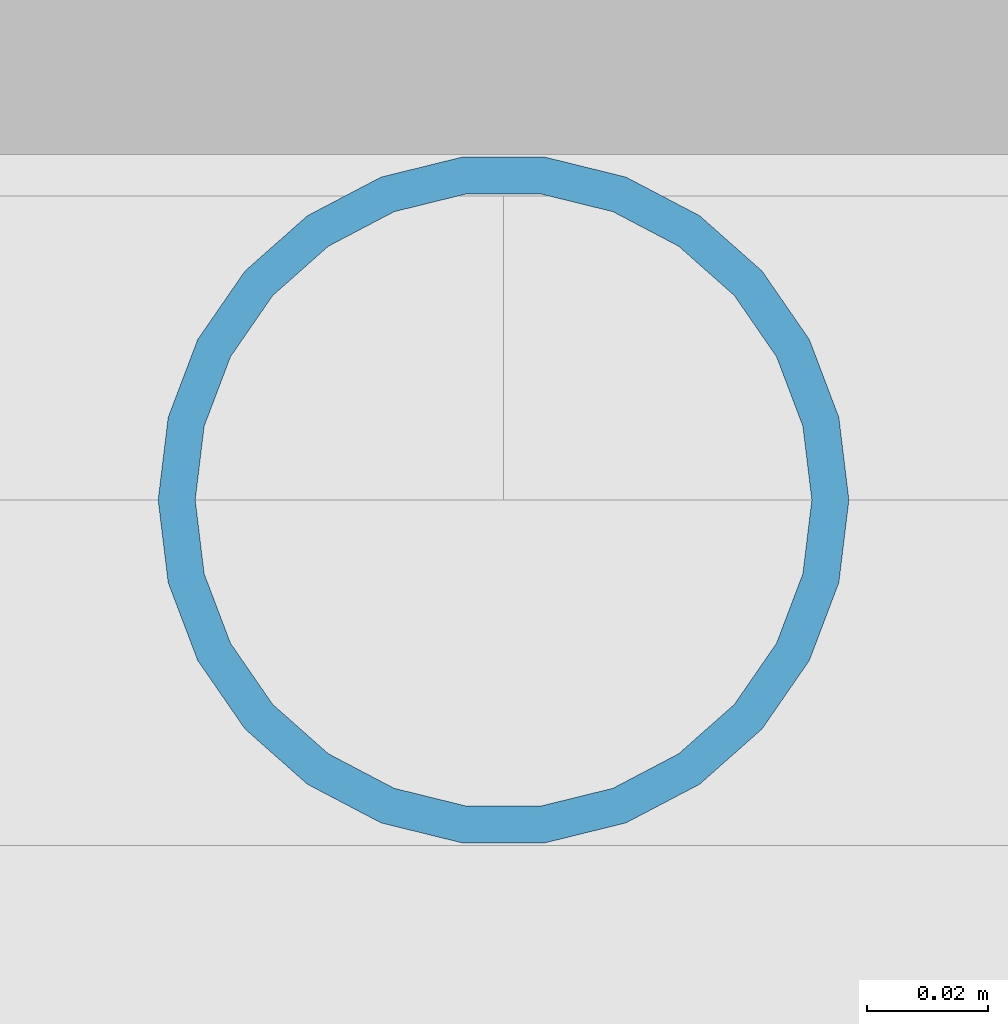
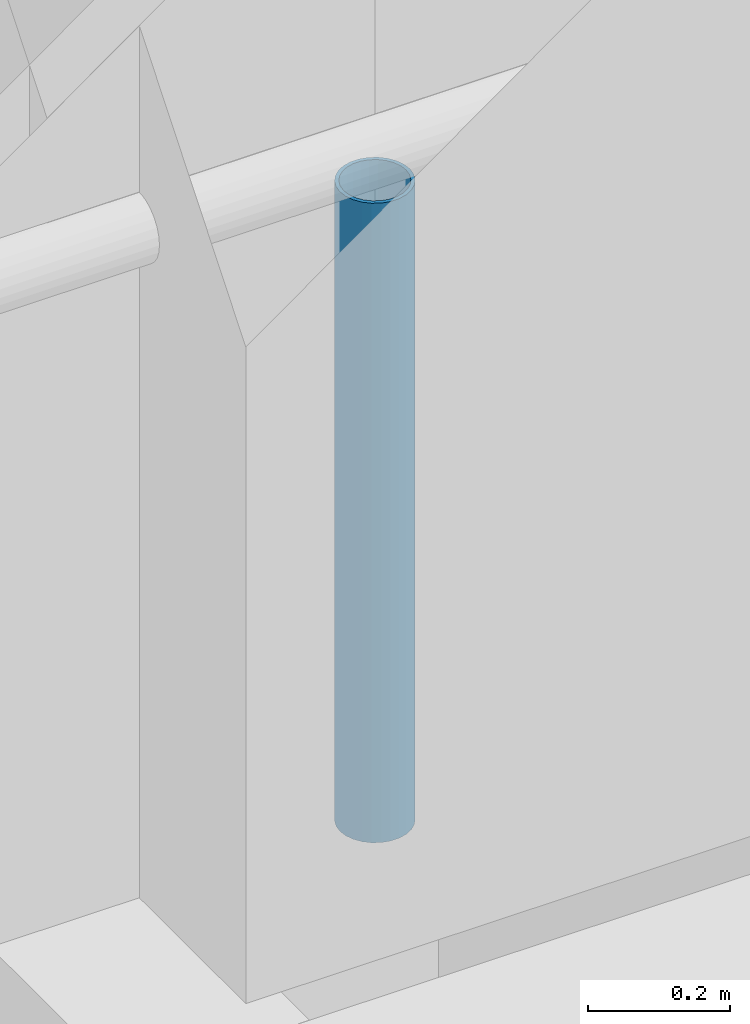
# One storey, part 11 of 31: 1 member.
"""IFC4 building model written with IfcOpenShell, lengths in metres."""

from ifc_helpers import new_model, si_unit, direction, frame, origin, origin_2d, place, context, subcontext, project, spatial, hollow_circle, extrude, material, material_profile, profile_set, type_object, element, save


model = new_model("IFC4")

# Units and contexts
model_context = context("Model", 3, precision=1e-05, world=origin(), true_north=direction((0.0, 1.0)))
body_context = subcontext(model_context, "Body", "Model", "MODEL_VIEW")
ifc_project = project(units=[si_unit("LENGTHUNIT", "METRE"), si_unit("AREAUNIT", "SQUARE_METRE"), si_unit("VOLUMEUNIT", "CUBIC_METRE"), si_unit("PLANEANGLEUNIT", "RADIAN"), si_unit("MASSUNIT", "GRAM", prefix="KILO")], contexts=[model_context])

# Site, building, storey
site_placement = place(None, origin())
site = spatial("IfcSite", under=ifc_project, at=site_placement, CompositionType="ELEMENT")
building_placement = place(site_placement, origin())
building = spatial("IfcBuilding", under=site, at=building_placement, Name="Tessera Arch", CompositionType="ELEMENT")
storey_placement = place(building_placement, frame((0.0, 0.0, 320.699951171875)))
storey = spatial("IfcBuildingStorey", under=building, at=storey_placement, Name="L77", CompositionType="ELEMENT", Elevation=320.699951171875)

# Member
ifc_material = material(Name="Steel A500 Gr C", Category="steel")
ifc_material_profile = material_profile(ifc_material, hollow_circle(Radius=0.056884765625, WallThickness=0.006103515625, at=origin_2d()), Name="Crown parapet post CHS114x6")
ifc_profile_set = profile_set([ifc_material_profile], Name="Steel A500 Gr C")
member_type = type_object("IfcMemberType", Name="Crown parapet post CHS114x6", PredefinedType="POST", material=ifc_profile_set)
member_placement = place(storey_placement, frame((36.533203125, 28.800048828125, 4.5), z_axis=(0.0, 0.0, 1.0), x_axis=(1.0, 0.0, 0.0)))
element("IfcMember", 1, at=member_placement, inside=storey, type_object=member_type, Name="CROWN parapet post S2-2", PredefinedType="POST", context=body_context, shape_type="SweptSolid", body=[
    extrude(hollow_circle(Radius=0.056884765625, WallThickness=0.006103515625, at=origin_2d()), origin(), (0.0, 0.0, 1.0), 1.10009765625),
])

save(model, "model.ifc")
